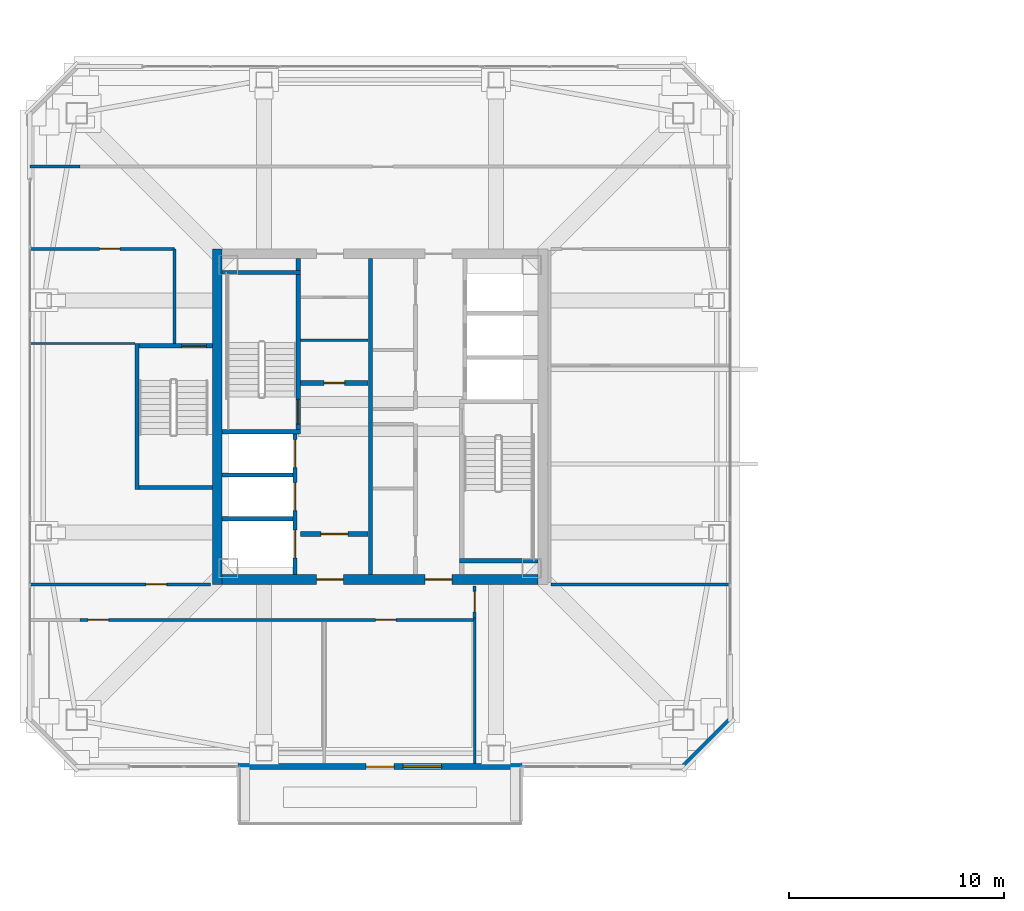
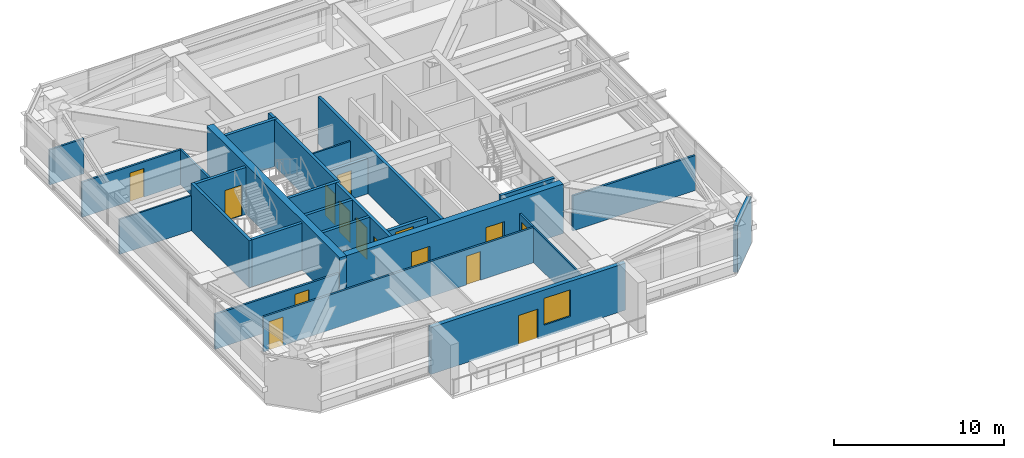
# One storey, part 30 of 40: 27 walls, 15 doors, 1 window, 16 openings.
"""IFC4 building model written with IfcOpenShell, lengths in metres."""

from ifc_helpers import new_model, si_unit, direction, frame, frame_2d, origin, place, context, subcontext, project, spatial, rectangle, extrude, material, layer, layer_set, type_object, element, fill, save


model = new_model("IFC4")

# Units and contexts
model_context = context("Model", 3, precision=1e-05, world=origin(), true_north=direction((0.0, 1.0)))
body_context = subcontext(model_context, "Body", "Model", "MODEL_VIEW")
ifc_project = project(units=[si_unit("LENGTHUNIT", "METRE"), si_unit("AREAUNIT", "SQUARE_METRE"), si_unit("VOLUMEUNIT", "CUBIC_METRE"), si_unit("PLANEANGLEUNIT", "RADIAN"), si_unit("MASSUNIT", "GRAM", prefix="KILO")], contexts=[model_context])

# Site, building, storey
site_placement = place(None, origin())
site = spatial("IfcSite", under=ifc_project, at=site_placement, CompositionType="ELEMENT")
building_placement = place(site_placement, origin())
building = spatial("IfcBuilding", under=site, at=building_placement, Name="Tashvorn Skyway Center", CompositionType="ELEMENT")
storey_placement = place(building_placement, frame((0.0, 0.0, 229.050048828125)))
storey = spatial("IfcBuildingStorey", under=building, at=storey_placement, Name="L62", CompositionType="ELEMENT", Elevation=229.050048828125)

# Wall
ifc_material_1 = material(Name="Concrete C50/60", Category="concrete")
ifc_layer_1 = layer(ifc_material_1, 0.449951171875)
ifc_layer_set_1 = layer_set([ifc_layer_1], Name="Concrete C50/60")
wall_type_1 = type_object("IfcWallType", Name="WALL-CORE-450", PredefinedType="SHEAR", material=ifc_layer_set_1)
wall_1_placement = place(storey_placement, frame((34.425048828125, 24.199951171875, 0.0), z_axis=(0.0, 0.0, 1.0), x_axis=(0.0, 1.0, 0.0)))
element("IfcWall", 1, at=wall_1_placement, inside=storey, type_object=wall_type_1, Name="Tower 1 L62 West Core Shear Wall", PredefinedType="SHEAR", context=body_context, shape_type="SweptSolid", body=[
    extrude(rectangle(XDim=15.60009765625, YDim=0.449951171875, at=frame_2d((7.800048828125, 0.0))), origin(), (0.0, 0.0, 1.0), 3.550048828125),
])

# Wall, openings, doors
wall_2_placement = place(storey_placement, frame((49.35009765625, 24.425048828125, 0.0), z_axis=(0.0, 0.0, 1.0), x_axis=(-1.0, 0.0, 0.0)))
wall_2 = element("IfcWall", 2, at=wall_2_placement, inside=storey, type_object=wall_type_1, Name="Tower 1 L62 South Core Shear Wall", PredefinedType="SHEAR", context=body_context, shape_type="SweptSolid", body=[
    extrude(rectangle(XDim=14.7001953125, YDim=0.449951171875, at=frame_2d((7.35009765625, 0.0))), origin(), (0.0, 0.0, 1.0), 3.550048828125),
])
opening_1_placement = place(wall_2_placement, frame((9.050048828125, 0.0, 0.0)))
opening_1 = element("IfcOpeningElement", 3, at=opening_1_placement, cuts=wall_2, Name="Opening D-FFL-1250", PredefinedType="OPENING", context=body_context, shape_type="SweptSolid", body=[
    extrude(rectangle(XDim=1.25, YDim=2.25, at=frame_2d((0.625, 1.125))), frame((0.0, 0.23486328125, 0.0), z_axis=(0.0, -1.0, 0.0), x_axis=(1.0, 0.0, 0.0)), (0.0, 0.0, 1.0), 0.469970703125),
])
opening_2_placement = place(wall_2_placement, frame((4.0, 0.0, 0.0)))
opening_2 = element("IfcOpeningElement", 4, at=opening_2_placement, cuts=wall_2, Name="Opening D-FFL-1250", PredefinedType="OPENING", context=body_context, shape_type="SweptSolid", body=[
    extrude(rectangle(XDim=1.25, YDim=2.25, at=frame_2d((0.625, 1.125))), frame((0.0, 0.23486328125, 0.0), z_axis=(0.0, -1.0, 0.0), x_axis=(1.0, 0.0, 0.0)), (0.0, 0.0, 1.0), 0.469970703125),
])
ifc_material_2 = material(Name="Hollow galvanized steel fire door assembly", Category="steel")
door_type_1 = type_object("IfcDoorType", Name="DOOR-FFL-1250", OperationType="NOTDEFINED", PredefinedType="DOOR", material=ifc_material_2)
door_1_placement = place(opening_1_placement, origin())
door_1 = element("IfcDoor", 5, at=door_1_placement, inside=storey, type_object=door_type_1, Name="Tower 1 L62 Core South Firefighting Exit Door", OperationType="SINGLE_SWING_LEFT", OverallHeight=2.25, OverallWidth=1.25, PredefinedType="DOOR", context=body_context, shape_type="SweptSolid", body=[
    extrude(rectangle(XDim=1.25, YDim=2.25, at=frame_2d((0.625, 1.125))), frame((0.0, 0.02490234375, 0.0), z_axis=(0.0, -1.0, 0.0), x_axis=(1.0, 0.0, 0.0)), (0.0, 0.0, 1.0), 0.050048828125),
])
fill(opening_1, door_1)
door_2_placement = place(opening_2_placement, origin())
door_2 = element("IfcDoor", 6, at=door_2_placement, inside=storey, type_object=door_type_1, Name="Tower 1 L62 Core South Lift Lobby Door", OperationType="SINGLE_SWING_RIGHT", OverallHeight=2.25, OverallWidth=1.25, PredefinedType="DOOR", context=body_context, shape_type="SweptSolid", body=[
    extrude(rectangle(XDim=1.25, YDim=2.25, at=frame_2d((0.625, 1.125))), frame((0.0, 0.02490234375, 0.0), z_axis=(0.0, -1.0, 0.0), x_axis=(1.0, 0.0, 0.0)), (0.0, 0.0, 1.0), 0.050048828125),
])
fill(opening_2, door_2)

# Wall, openings, door, window
ifc_material_3 = material(Name="Precast concrete C40/50", Category="concrete")
ifc_layer_2 = layer(ifc_material_3, 0.280029296875)
ifc_layer_set_2 = layer_set([ifc_layer_2], Name="Precast concrete C40/50")
wall_type_2 = type_object("IfcWallType", Name="WALL-EXT-280", PredefinedType="SOLIDWALL", material=ifc_layer_set_2)
wall_3_placement = place(storey_placement, frame((48.60009765625, 15.719970703125, 0.0), z_axis=(0.0, 0.0, 1.0), x_axis=(-1.0, 0.0, 0.0)))
wall_3 = element("IfcWall", 7, at=wall_3_placement, inside=storey, type_object=wall_type_2, Name="Tower 1 L62 South Sky Garden Loggia Wall", PredefinedType="SOLIDWALL", context=body_context, shape_type="SweptSolid", body=[
    extrude(rectangle(XDim=13.2001953125, YDim=0.280029296875, at=frame_2d((6.60009765625, 0.0))), origin(), (0.0, 0.0, 1.0), 3.369873046875),
])
opening_3_placement = place(wall_3_placement, frame((5.949951171875, 0.0, 0.0)))
opening_3 = element("IfcOpeningElement", 8, at=opening_3_placement, cuts=wall_3, Name="Opening D-TER-1300", PredefinedType="OPENING", context=body_context, shape_type="SweptSolid", body=[
    extrude(rectangle(XDim=1.300048828125, YDim=2.14990234375, at=frame_2d((0.64990234375, 1.074951171875))), frame((0.0, 0.14990234375, 0.0), z_axis=(0.0, -1.0, 0.0), x_axis=(1.0, 0.0, 0.0)), (0.0, 0.0, 1.0), 0.300048828125),
])
opening_4_placement = place(wall_3_placement, frame((3.73193359375, 0.0, 0.85009765625)))
opening_4 = element("IfcOpeningElement", 9, at=opening_4_placement, cuts=wall_3, Name="Opening WIN-1800", PredefinedType="OPENING", context=body_context, shape_type="SweptSolid", body=[
    extrude(rectangle(XDim=1.800048828125, YDim=1.919921875, at=frame_2d((0.89990234375, 0.9599609375))), frame((0.0, 0.14990234375, 0.0), z_axis=(0.0, -1.0, 0.0), x_axis=(1.0, 0.0, 0.0)), (0.0, 0.0, 1.0), 0.300048828125),
])
ifc_material_4 = material(Name="Thermally broken bronze-anodized aluminium 6063-T6", Category="aluminium")
door_type_2 = type_object("IfcDoorType", Name="DOOR-TERR-1300", OperationType="NOTDEFINED", PredefinedType="DOOR", material=ifc_material_4)
door_3_placement = place(opening_3_placement, origin())
door_3 = element("IfcDoor", 10, at=door_3_placement, inside=storey, type_object=door_type_2, Name="Tower 1 L62 Sky Garden Access Door", OperationType="SINGLE_SWING_RIGHT", OverallHeight=2.14990234375, OverallWidth=1.300048828125, PredefinedType="DOOR", context=body_context, shape_type="SweptSolid", body=[
    extrude(rectangle(XDim=1.300048828125, YDim=2.14990234375, at=frame_2d((0.64990234375, 1.074951171875))), frame((0.0, 0.02490234375, 0.0), z_axis=(0.0, -1.0, 0.0), x_axis=(1.0, 0.0, 0.0)), (0.0, 0.0, 1.0), 0.050048828125),
])
fill(opening_3, door_3)
ifc_material_5 = material(Name="Low-E solar-control double insulating safety glass", Category="glass")
window_type = type_object("IfcWindowType", Name="WIN-TERR-1800", PartitioningType="SINGLE_PANEL", PredefinedType="WINDOW", material=ifc_material_5)
window_placement = place(opening_4_placement, origin())
window = element("IfcWindow", 11, at=window_placement, inside=storey, type_object=window_type, Name="Tower 1 L62 Sky Garden Window", OverallHeight=1.919921875, OverallWidth=1.800048828125, PartitioningType="SINGLE_PANEL", PredefinedType="WINDOW", context=body_context, shape_type="SweptSolid", body=[
    extrude(rectangle(XDim=1.800048828125, YDim=1.919921875, at=frame_2d((0.89990234375, 0.9599609375))), frame((0.0, 0.030029296875, 0.0), z_axis=(0.0, -1.0, 0.0), x_axis=(1.0, 0.0, 0.0)), (0.0, 0.0, 1.0), 0.06005859375),
])
fill(opening_4, window)

# Wall
wall_4_placement = place(storey_placement, frame((58.300048828125, 17.89990234375, 0.0), z_axis=(0.0, 0.0, 1.0), x_axis=(-0.707106781187, -0.707106781187, 0.0)))
element("IfcWall", 12, at=wall_4_placement, inside=storey, type_object=wall_type_2, Name="Tower 1 L62 SE Precast Chamfer Wall", PredefinedType="SOLIDWALL", context=body_context, shape_type="SweptSolid", body=[
    extrude(rectangle(XDim=3.111083984375, YDim=0.280029296875, at=frame_2d((1.5556640625, 0.0))), origin(), (0.0, 0.0, 1.0), 3.369873046875),
])

# Wall, opening, door
ifc_material_6 = material(Name="Concrete C40/50", Category="concrete")
ifc_layer_3 = layer(ifc_material_6, 0.219970703125)
ifc_layer_set_3 = layer_set([ifc_layer_3], Name="Concrete C40/50")
wall_type_3 = type_object("IfcWallType", Name="WALL-FFL-220", PredefinedType="SOLIDWALL", material=ifc_layer_set_3)
wall_5_placement = place(storey_placement, frame((38.300048828125, 33.56005859375, 0.0), z_axis=(0.0, 0.0, 1.0), x_axis=(1.0, 0.0, 0.0)))
wall_5 = element("IfcWall", 13, at=wall_5_placement, inside=storey, type_object=wall_type_3, Name="Tower 1 L62 Firefighting Lobby North Wall", PredefinedType="SOLIDWALL", context=body_context, shape_type="SweptSolid", body=[
    extrude(rectangle(XDim=3.14990234375, YDim=0.219970703125, at=frame_2d((1.574951171875, 0.0))), origin(), (0.0, 0.0, 1.0), 2.512939453125),
])
opening_5_placement = place(wall_5_placement, frame((1.10009765625, 0.0, 0.0)))
opening_5 = element("IfcOpeningElement", 14, at=opening_5_placement, cuts=wall_5, Name="Opening D-RT-950", PredefinedType="OPENING", context=body_context, shape_type="SweptSolid", body=[
    extrude(rectangle(XDim=0.949951171875, YDim=2.050048828125, at=frame_2d((0.47509765625, 1.02490234375))), frame((0.0, 0.119873046875, 0.0), z_axis=(0.0, -1.0, 0.0), x_axis=(1.0, 0.0, 0.0)), (0.0, 0.0, 1.0), 0.239990234375),
])
door_type_3 = type_object("IfcDoorType", Name="DOOR-RATED-950", OperationType="NOTDEFINED", PredefinedType="DOOR", material=ifc_material_2)
door_4_placement = place(opening_5_placement, origin())
door_4 = element("IfcDoor", 15, at=door_4_placement, inside=storey, type_object=door_type_3, Name="Tower 1 L62 Core Linen Store Door", OperationType="SINGLE_SWING_LEFT", OverallHeight=2.050048828125, OverallWidth=0.949951171875, PredefinedType="DOOR", context=body_context, shape_type="SweptSolid", body=[
    extrude(rectangle(XDim=0.949951171875, YDim=2.050048828125, at=frame_2d((0.47509765625, 1.02490234375))), frame((0.0, 0.02490234375, 0.0), z_axis=(0.0, -1.0, 0.0), x_axis=(1.0, 0.0, 0.0)), (0.0, 0.0, 1.0), 0.050048828125),
])
fill(opening_5, door_4)

wall_6_placement = place(storey_placement, frame((38.300048828125, 26.5400390625, 0.0), z_axis=(0.0, 0.0, 1.0), x_axis=(1.0, 0.0, 0.0)))
wall_6 = element("IfcWall", 16, at=wall_6_placement, inside=storey, type_object=wall_type_3, Name="Tower 1 L62 Firefighting Lobby South Wall", PredefinedType="SOLIDWALL", context=body_context, shape_type="SweptSolid", body=[
    extrude(rectangle(XDim=3.14990234375, YDim=0.219970703125, at=frame_2d((1.574951171875, 0.0))), origin(), (0.0, 0.0, 1.0), 2.512939453125),
])
opening_6_placement = place(wall_6_placement, frame((0.949951171875, 0.0, 0.0)))
opening_6 = element("IfcOpeningElement", 17, at=opening_6_placement, cuts=wall_6, Name="Opening D-FFL-1250", PredefinedType="OPENING", context=body_context, shape_type="SweptSolid", body=[
    extrude(rectangle(XDim=1.25, YDim=2.25, at=frame_2d((0.625, 1.125))), frame((0.0, 0.119873046875, 0.0), z_axis=(0.0, -1.0, 0.0), x_axis=(1.0, 0.0, 0.0)), (0.0, 0.0, 1.0), 0.239990234375),
])
door_5_placement = place(opening_6_placement, origin())
door_5 = element("IfcDoor", 18, at=door_5_placement, inside=storey, type_object=door_type_1, Name="Tower 1 L62 Firefighting Lobby Egress Door", OperationType="SINGLE_SWING_LEFT", OverallHeight=2.25, OverallWidth=1.25, PredefinedType="DOOR", context=body_context, shape_type="SweptSolid", body=[
    extrude(rectangle(XDim=1.25, YDim=2.25, at=frame_2d((0.625, 1.125))), frame((0.0, 0.02490234375, 0.0), z_axis=(0.0, -1.0, 0.0), x_axis=(1.0, 0.0, 0.0)), (0.0, 0.0, 1.0), 0.050048828125),
])
fill(opening_6, door_5)

# Walls
ifc_material_7 = material(Name="Gypsum board on cold-formed steel stud framing", Category="steel")
ifc_layer_4 = layer(ifc_material_7, 0.110107421875)
ifc_layer_set_4 = layer_set([ifc_layer_4], Name="Gypsum board on cold-formed steel stud framing")
wall_type_4 = type_object("IfcWallType", Name="WALL-PART-110", PredefinedType="PARTITIONING", material=ifc_layer_set_4)
wall_7_placement = place(storey_placement, frame((46.39990234375, 15.8701171875, 0.0), z_axis=(0.0, 0.0, 1.0), x_axis=(0.0, 1.0, 0.0)))
element("IfcWall", 19, at=wall_7_placement, inside=storey, type_object=wall_type_4, Name="Tower 1 L62 South-East Suite Wall", PredefinedType="PARTITIONING", context=body_context, shape_type="SweptSolid", body=[
    extrude(rectangle(XDim=6.759765625, YDim=0.110107421875, at=frame_2d((3.3798828125, 0.0))), origin(), (0.0, 0.0, 1.0), 2.512939453125),
])
wall_8_placement = place(storey_placement, frame((30.60009765625, 35.39990234375, 0.0), z_axis=(0.0, 0.0, 1.0), x_axis=(-1.0, 0.0, 0.0)))
element("IfcWall", 20, at=wall_8_placement, inside=storey, type_object=wall_type_4, Name="Tower 1 L62 West Suite Partition 1", PredefinedType="PARTITIONING", context=body_context, shape_type="SweptSolid", body=[
    extrude(rectangle(XDim=4.880126953125, YDim=0.110107421875, at=frame_2d((2.43994140625, 0.0))), origin(), (0.0, 0.0, 1.0), 2.512939453125),
])
ifc_layer_5 = layer(ifc_material_7, 0.135009765625)
ifc_layer_set_5 = layer_set([ifc_layer_5], Name="Gypsum board on cold-formed steel stud framing")
wall_type_5 = type_object("IfcWallType", Name="WALL-PART-135", PredefinedType="PARTITIONING", material=ifc_layer_set_5)
wall_9_placement = place(storey_placement, frame((32.449951171875, 35.39990234375, 0.0), z_axis=(0.0, 0.0, 1.0), x_axis=(0.0, 1.0, 0.0)))
element("IfcWall", 21, at=wall_9_placement, inside=storey, type_object=wall_type_5, Name="Tower 1 L62 Stair 3 Access Corridor Wall", PredefinedType="PARTITIONING", context=body_context, shape_type="SweptSolid", body=[
    extrude(rectangle(XDim=4.400146484375, YDim=0.135009765625, at=frame_2d((2.2001953125, 0.0))), origin(), (0.0, 0.0, 1.0), 2.512939453125),
])
wall_10_placement = place(storey_placement, frame((25.719970703125, 43.6201171875, 0.0), z_axis=(0.0, 0.0, 1.0), x_axis=(1.0, 0.0, 0.0)))
element("IfcWall", 22, at=wall_10_placement, inside=storey, type_object=wall_type_5, Name="Tower 1 L62 North-West Suite South Wall", PredefinedType="PARTITIONING", context=body_context, shape_type="SweptSolid", body=[
    extrude(rectangle(XDim=2.330078125, YDim=0.135009765625, at=frame_2d((1.1650390625, 0.0))), origin(), (0.0, 0.0, 1.0), 2.512939453125),
])

# Wall, openings, doors
wall_11_placement = place(storey_placement, frame((46.39990234375, 22.550048828125, 0.0), z_axis=(0.0, 0.0, 1.0), x_axis=(-1.0, 0.0, 0.0)))
wall_11 = element("IfcWall", 23, at=wall_11_placement, inside=storey, type_object=wall_type_5, Name="Tower 1 L62 South Suite Wall", PredefinedType="PARTITIONING", context=body_context, shape_type="SweptSolid", body=[
    extrude(rectangle(XDim=18.349853515625, YDim=0.135009765625, at=frame_2d((9.1748046875, 0.0))), origin(), (0.0, 0.0, 1.0), 2.512939453125),
])
opening_7_placement = place(wall_11_placement, frame((17.02001953125, 0.0, 0.0)))
opening_7 = element("IfcOpeningElement", 24, at=opening_7_placement, cuts=wall_11, Name="Opening D-INT-950", PredefinedType="OPENING", context=body_context, shape_type="SweptSolid", body=[
    extrude(rectangle(XDim=0.949951171875, YDim=2.050048828125, at=frame_2d((0.47509765625, 1.02490234375))), frame((0.0, 0.077392578125, 0.0), z_axis=(0.0, -1.0, 0.0), x_axis=(1.0, 0.0, 0.0)), (0.0, 0.0, 1.0), 0.155029296875),
])
opening_8_placement = place(wall_11_placement, frame((3.65478515625, 0.0, 0.0)))
opening_8 = element("IfcOpeningElement", 25, at=opening_8_placement, cuts=wall_11, Name="Opening D-INT-950", PredefinedType="OPENING", context=body_context, shape_type="SweptSolid", body=[
    extrude(rectangle(XDim=0.949951171875, YDim=2.050048828125, at=frame_2d((0.47509765625, 1.02490234375))), frame((0.0, 0.077392578125, 0.0), z_axis=(0.0, -1.0, 0.0), x_axis=(1.0, 0.0, 0.0)), (0.0, 0.0, 1.0), 0.155029296875),
])
ifc_material_8 = material(Name="Solid-core architectural oak veneer door")
door_type_4 = type_object("IfcDoorType", Name="DOOR-INT-950", OperationType="NOTDEFINED", PredefinedType="DOOR", material=ifc_material_8)
door_6_placement = place(opening_7_placement, origin())
door_6 = element("IfcDoor", 26, at=door_6_placement, inside=storey, type_object=door_type_4, Name="Tower 1 L62 Executive Study Lounge Door", OperationType="SINGLE_SWING_RIGHT", OverallHeight=2.050048828125, OverallWidth=0.949951171875, PredefinedType="DOOR", context=body_context, shape_type="SweptSolid", body=[
    extrude(rectangle(XDim=0.949951171875, YDim=2.050048828125, at=frame_2d((0.47509765625, 1.02490234375))), frame((0.0, 0.02490234375, 0.0), z_axis=(0.0, -1.0, 0.0), x_axis=(1.0, 0.0, 0.0)), (0.0, 0.0, 1.0), 0.050048828125),
])
fill(opening_7, door_6)
door_7_placement = place(opening_8_placement, origin())
door_7 = element("IfcDoor", 27, at=door_7_placement, inside=storey, type_object=door_type_4, Name="Tower 1 L62 Collaborative Studio Door", OperationType="SINGLE_SWING_LEFT", OverallHeight=2.050048828125, OverallWidth=0.949951171875, PredefinedType="DOOR", context=body_context, shape_type="SweptSolid", body=[
    extrude(rectangle(XDim=0.949951171875, YDim=2.050048828125, at=frame_2d((0.47509765625, 1.02490234375))), frame((0.0, 0.02490234375, 0.0), z_axis=(0.0, -1.0, 0.0), x_axis=(1.0, 0.0, 0.0)), (0.0, 0.0, 1.0), 0.050048828125),
])
fill(opening_8, door_7)

# Wall, opening, door
wall_12_placement = place(storey_placement, frame((46.39990234375, 24.1201171875, 0.0), z_axis=(0.0, 0.0, 1.0), x_axis=(0.0, -1.0, 0.0)))
wall_12 = element("IfcWall", 28, at=wall_12_placement, inside=storey, type_object=wall_type_5, Name="Tower 1 L62 South Gallery End Wall", PredefinedType="PARTITIONING", context=body_context, shape_type="SweptSolid", body=[
    extrude(rectangle(XDim=1.490234375, YDim=0.135009765625, at=frame_2d((0.7451171875, 0.0))), origin(), (0.0, 0.0, 1.0), 2.512939453125),
])
opening_9_placement = place(wall_12_placement, frame((0.25, 0.0, 0.0)))
opening_9 = element("IfcOpeningElement", 29, at=opening_9_placement, cuts=wall_12, Name="Opening D-INT-950", PredefinedType="OPENING", context=body_context, shape_type="SweptSolid", body=[
    extrude(rectangle(XDim=0.949951171875, YDim=2.050048828125, at=frame_2d((0.47509765625, 1.02490234375))), frame((0.0, 0.077392578125, 0.0), z_axis=(0.0, -1.0, 0.0), x_axis=(1.0, 0.0, 0.0)), (0.0, 0.0, 1.0), 0.155029296875),
])
door_8_placement = place(opening_9_placement, origin())
door_8 = element("IfcDoor", 30, at=door_8_placement, inside=storey, type_object=door_type_4, Name="Tower 1 L62 Open Plan Office Door", OperationType="SINGLE_SWING_RIGHT", OverallHeight=2.050048828125, OverallWidth=0.949951171875, PredefinedType="DOOR", context=body_context, shape_type="SweptSolid", body=[
    extrude(rectangle(XDim=0.949951171875, YDim=2.050048828125, at=frame_2d((0.47509765625, 1.02490234375))), frame((0.0, 0.02490234375, 0.0), z_axis=(0.0, -1.0, 0.0), x_axis=(1.0, 0.0, 0.0)), (0.0, 0.0, 1.0), 0.050048828125),
])
fill(opening_9, door_8)

# Wall
wall_13_placement = place(storey_placement, frame((49.9599609375, 24.199951171875, 0.0), z_axis=(0.0, 0.0, 1.0), x_axis=(1.0, 0.0, 0.0)))
element("IfcWall", 31, at=wall_13_placement, inside=storey, type_object=wall_type_5, Name="Tower 1 L62 East Suite South Wall", PredefinedType="PARTITIONING", context=body_context, shape_type="SweptSolid", body=[
    extrude(rectangle(XDim=8.320068359375, YDim=0.135009765625, at=frame_2d((4.16015625, 0.0))), origin(), (0.0, 0.0, 1.0), 2.512939453125),
])

# Wall, opening, door
wall_14_placement = place(storey_placement, frame((32.449951171875, 39.800048828125, 0.0), z_axis=(0.0, 0.0, 1.0), x_axis=(-1.0, 0.0, 0.0)))
wall_14 = element("IfcWall", 32, at=wall_14_placement, inside=storey, type_object=wall_type_5, Name="Tower 1 L62 West Suite North Wall", PredefinedType="PARTITIONING", context=body_context, shape_type="SweptSolid", body=[
    extrude(rectangle(XDim=6.72998046875, YDim=0.135009765625, at=frame_2d((3.364990234375, 0.0))), origin(), (0.0, 0.0, 1.0), 2.512939453125),
])
opening_10_placement = place(wall_14_placement, frame((2.5400390625, 0.0, 0.0)))
opening_10 = element("IfcOpeningElement", 33, at=opening_10_placement, cuts=wall_14, Name="Opening D-INT-950", PredefinedType="OPENING", context=body_context, shape_type="SweptSolid", body=[
    extrude(rectangle(XDim=0.949951171875, YDim=2.050048828125, at=frame_2d((0.47509765625, 1.02490234375))), frame((0.0, 0.077392578125, 0.0), z_axis=(0.0, -1.0, 0.0), x_axis=(1.0, 0.0, 0.0)), (0.0, 0.0, 1.0), 0.155029296875),
])
door_9_placement = place(opening_10_placement, origin())
door_9 = element("IfcDoor", 34, at=door_9_placement, inside=storey, type_object=door_type_4, Name="Tower 1 L62 Reading Lounge Door", OperationType="SINGLE_SWING_LEFT", OverallHeight=2.050048828125, OverallWidth=0.949951171875, PredefinedType="DOOR", context=body_context, shape_type="SweptSolid", body=[
    extrude(rectangle(XDim=0.949951171875, YDim=2.050048828125, at=frame_2d((0.47509765625, 1.02490234375))), frame((0.0, 0.02490234375, 0.0), z_axis=(0.0, -1.0, 0.0), x_axis=(1.0, 0.0, 0.0)), (0.0, 0.0, 1.0), 0.050048828125),
])
fill(opening_10, door_9)

wall_15_placement = place(storey_placement, frame((25.719970703125, 24.199951171875, 0.0), z_axis=(0.0, 0.0, 1.0), x_axis=(1.0, 0.0, 0.0)))
wall_15 = element("IfcWall", 35, at=wall_15_placement, inside=storey, type_object=wall_type_5, Name="Tower 1 L62 West Suite South Wall", PredefinedType="PARTITIONING", context=body_context, shape_type="SweptSolid", body=[
    extrude(rectangle(XDim=8.400146484375, YDim=0.135009765625, at=frame_2d((4.2001953125, 0.0))), origin(), (0.0, 0.0, 1.0), 2.512939453125),
])
opening_11_placement = place(wall_15_placement, frame((5.405029296875, 0.0, 0.0)))
opening_11 = element("IfcOpeningElement", 36, at=opening_11_placement, cuts=wall_15, Name="Opening D-INT-950", PredefinedType="OPENING", context=body_context, shape_type="SweptSolid", body=[
    extrude(rectangle(XDim=0.949951171875, YDim=2.050048828125, at=frame_2d((0.47509765625, 1.02490234375))), frame((0.0, 0.077392578125, 0.0), z_axis=(0.0, -1.0, 0.0), x_axis=(1.0, 0.0, 0.0)), (0.0, 0.0, 1.0), 0.155029296875),
])
door_10_placement = place(opening_11_placement, origin())
door_10 = element("IfcDoor", 37, at=door_10_placement, inside=storey, type_object=door_type_4, Name="Tower 1 L62 Public Restroom Door", OperationType="SINGLE_SWING_RIGHT", OverallHeight=2.050048828125, OverallWidth=0.949951171875, PredefinedType="DOOR", context=body_context, shape_type="SweptSolid", body=[
    extrude(rectangle(XDim=0.949951171875, YDim=2.050048828125, at=frame_2d((0.47509765625, 1.02490234375))), frame((0.0, 0.02490234375, 0.0), z_axis=(0.0, -1.0, 0.0), x_axis=(1.0, 0.0, 0.0)), (0.0, 0.0, 1.0), 0.050048828125),
])
fill(opening_11, door_10)

# Walls
ifc_layer_6 = layer(ifc_material_7, 0.110107421875)
ifc_layer_set_6 = layer_set([ifc_layer_6], Name="Gypsum board on cold-formed steel stud framing")
wall_type_6 = type_object("IfcWallType", Name="WALL-RATED-110", PredefinedType="PARTITIONING", material=ifc_layer_set_6)
wall_16_placement = place(storey_placement, frame((38.300048828125, 35.550048828125, 0.0), z_axis=(0.0, 0.0, 1.0), x_axis=(1.0, 0.0, 0.0)))
element("IfcWall", 38, at=wall_16_placement, inside=storey, type_object=wall_type_6, Name="Tower 1 L62 Core Transverse Wall", PredefinedType="PARTITIONING", context=body_context, shape_type="SweptSolid", body=[
    extrude(rectangle(XDim=3.14990234375, YDim=0.110107421875, at=frame_2d((1.574951171875, 0.0))), origin(), (0.0, 0.0, 1.0), 2.512939453125),
])
ifc_layer_7 = layer(ifc_material_6, 0.199951171875)
ifc_layer_set_7 = layer_set([ifc_layer_7], Name="Concrete C40/50")
wall_type_7 = type_object("IfcWallType", Name="WALL-SHAFT-200", PredefinedType="SOLIDWALL", material=ifc_layer_set_7)
for number, where, z_axis, x_axis, name in (
    (39, (34.64990234375, 27.25, 0.0), (0.0, 0.0, 1.0), (1.0, 0.0, 0.0), "Tower 1 L62 FSAE Shaft Divider"),
    (40, (34.64990234375, 29.280029296875, 0.0), (0.0, 0.0, 1.0), (1.0, 0.0, 0.0), "Tower 1 L62 FSAE Shaft Divider"),
):
    element("IfcWall", number, at=place(storey_placement, frame(where, z_axis=z_axis, x_axis=x_axis)), inside=storey, type_object=wall_type_7, Name=name, PredefinedType="SOLIDWALL", context=body_context, shape_type="SweptSolid", body=[
        extrude(rectangle(XDim=3.300048828125, YDim=0.199951171875, at=frame_2d((1.64990234375, 0.0))), origin(), (0.0, 0.0, 1.0), 3.369873046875),
    ])

# Wall, opening, door
ifc_layer_8 = layer(ifc_material_6, 0.199951171875)
ifc_layer_set_8 = layer_set([ifc_layer_8], Name="Concrete C40/50")
wall_type_8 = type_object("IfcWallType", Name="WALL-STSHF-200", PredefinedType="SHEAR", material=ifc_layer_set_8)
wall_17_placement = place(storey_placement, frame((38.199951171875, 31.199951171875, 0.0), z_axis=(0.0, 0.0, 1.0), x_axis=(0.0, 1.0, 0.0)))
wall_17 = element("IfcWall", 41, at=wall_17_placement, inside=storey, type_object=wall_type_8, Name="Tower 1 L62 Stair 1 Enclosure Wall", PredefinedType="SHEAR", context=body_context, shape_type="SweptSolid", body=[
    extrude(rectangle(XDim=8.150146484375, YDim=0.199951171875, at=frame_2d((4.0751953125, 0.0))), origin(), (0.0, 0.0, 1.0), 3.369873046875),
])
opening_12_placement = place(wall_17_placement, frame((0.449951171875, 0.0, 0.0)))
opening_12 = element("IfcOpeningElement", 42, at=opening_12_placement, cuts=wall_17, Name="Opening D-ST-1150", PredefinedType="OPENING", context=body_context, shape_type="SweptSolid", body=[
    extrude(rectangle(XDim=1.14990234375, YDim=2.199951171875, at=frame_2d((0.574951171875, 1.10009765625))), frame((0.0, 0.10986328125, 0.0), z_axis=(0.0, -1.0, 0.0), x_axis=(1.0, 0.0, 0.0)), (0.0, 0.0, 1.0), 0.219970703125),
])
door_type_5 = type_object("IfcDoorType", Name="DOOR-STAIR-1150", OperationType="NOTDEFINED", PredefinedType="DOOR", material=ifc_material_2)
door_11_placement = place(opening_12_placement, origin())
door_11 = element("IfcDoor", 43, at=door_11_placement, inside=storey, type_object=door_type_5, Name="Tower 1 L62 Exit Stair 1 Door", OperationType="SINGLE_SWING_RIGHT", OverallHeight=2.199951171875, OverallWidth=1.14990234375, PredefinedType="DOOR", context=body_context, shape_type="SweptSolid", body=[
    extrude(rectangle(XDim=1.14990234375, YDim=2.199951171875, at=frame_2d((0.574951171875, 1.10009765625))), frame((0.0, 0.02490234375, 0.0), z_axis=(0.0, -1.0, 0.0), x_axis=(1.0, 0.0, 0.0)), (0.0, 0.0, 1.0), 0.050048828125),
])
fill(opening_12, door_11)

# Walls
for number, where, z_axis, x_axis, name in (
    (44, (34.64990234375, 31.300048828125, 0.0), (0.0, 0.0, 1.0), (1.0, 0.0, 0.0), "Tower 1 L62 Stair 1 South Wall"),
    (45, (34.64990234375, 38.699951171875, 0.0), (0.0, 0.0, 1.0), (1.0, 0.0, 0.0), "Tower 1 L62 Stair 1 North Wall"),
    (46, (45.699951171875, 25.300048828125, 0.0), (0.0, 0.0, 1.0), (1.0, 0.0, 0.0), "Tower 1 L62 Stair 2 South Wall"),
):
    element("IfcWall", number, at=place(storey_placement, frame(where, z_axis=z_axis, x_axis=x_axis)), inside=storey, type_object=wall_type_8, Name=name, PredefinedType="SHEAR", context=body_context, shape_type="SweptSolid", body=[
        extrude(rectangle(XDim=3.650146484375, YDim=0.199951171875, at=frame_2d((1.8251953125, 0.0))), origin(), (0.0, 0.0, 1.0), 3.369873046875),
    ])
wall_18_placement = place(storey_placement, frame((41.56005859375, 24.64990234375, 0.0), z_axis=(0.0, 0.0, 1.0), x_axis=(0.0, 1.0, 0.0)))
element("IfcWall", 47, at=wall_18_placement, inside=storey, type_object=wall_type_8, Name="Tower 1 L62 Firefighting Lobby East Smoke Barrier", PredefinedType="SHEAR", context=body_context, shape_type="SweptSolid", body=[
    extrude(rectangle(XDim=14.7001953125, YDim=0.199951171875, at=frame_2d((7.35009765625, 0.0))), origin(), (0.0, 0.0, 1.0), 3.369873046875),
])

# Wall, openings, doors
wall_19_placement = place(storey_placement, frame((38.050048828125, 24.64990234375, 0.0), z_axis=(0.0, 0.0, 1.0), x_axis=(0.0, 1.0, 0.0)))
wall_19 = element("IfcWall", 48, at=wall_19_placement, inside=storey, type_object=wall_type_8, Name="Tower 1 L62 FSAE and Goods Shaft Front Wall", PredefinedType="SHEAR", context=body_context, shape_type="SweptSolid", body=[
    extrude(rectangle(XDim=6.550048828125, YDim=0.199951171875, at=frame_2d((3.27490234375, 0.0))), origin(), (0.0, 0.0, 1.0), 3.369873046875),
])
opening_13_placement = place(wall_19_placement, frame((4.97509765625, 0.0, 0.0)))
opening_13 = element("IfcOpeningElement", 49, at=opening_13_placement, cuts=wall_19, Name="Opening LD-FF-T1-1-L62", PredefinedType="OPENING", context=body_context, shape_type="SweptSolid", body=[
    extrude(rectangle(XDim=1.300048828125, YDim=2.25, at=frame_2d((0.64990234375, 1.125))), frame((0.0, 0.10986328125, 0.0), z_axis=(0.0, -1.0, 0.0), x_axis=(1.0, 0.0, 0.0)), (0.0, 0.0, 1.0), 0.219970703125),
])
opening_14_placement = place(wall_19_placement, frame((2.97509765625, 0.0, 0.0)))
opening_14 = element("IfcOpeningElement", 50, at=opening_14_placement, cuts=wall_19, Name="Opening LD-FF-T1-2-L62", PredefinedType="OPENING", context=body_context, shape_type="SweptSolid", body=[
    extrude(rectangle(XDim=1.300048828125, YDim=2.25, at=frame_2d((0.64990234375, 1.125))), frame((0.0, 0.10986328125, 0.0), z_axis=(0.0, -1.0, 0.0), x_axis=(1.0, 0.0, 0.0)), (0.0, 0.0, 1.0), 0.219970703125),
])
opening_15_placement = place(wall_19_placement, frame((0.77490234375, 0.0, 0.0)))
opening_15 = element("IfcOpeningElement", 51, at=opening_15_placement, cuts=wall_19, Name="Opening LD-GD-T1-1-L62", PredefinedType="OPENING", context=body_context, shape_type="SweptSolid", body=[
    extrude(rectangle(XDim=1.300048828125, YDim=2.25, at=frame_2d((0.64990234375, 1.125))), frame((0.0, 0.10986328125, 0.0), z_axis=(0.0, -1.0, 0.0), x_axis=(1.0, 0.0, 0.0)), (0.0, 0.0, 1.0), 0.219970703125),
])
ifc_material_9 = material(Name="Stainless steel heavy-duty landing door", Category="steel")
door_type_6 = type_object("IfcDoorType", Name="DOOR-LIFT-1300", OperationType="SLIDING_TO_LEFT", PredefinedType="DOOR", material=ifc_material_9)
door_12_placement = place(opening_13_placement, origin())
door_12 = element("IfcDoor", 52, at=door_12_placement, inside=storey, type_object=door_type_6, Name="Lift FF-T1-1 L62 Landing Door", OperationType="SLIDING_TO_LEFT", OverallHeight=2.25, OverallWidth=1.300048828125, PredefinedType="DOOR", context=body_context, shape_type="SweptSolid", body=[
    extrude(rectangle(XDim=1.300048828125, YDim=2.25, at=frame_2d((0.64990234375, 1.125))), frame((0.0, 0.02490234375, 0.0), z_axis=(0.0, -1.0, 0.0), x_axis=(1.0, 0.0, 0.0)), (0.0, 0.0, 1.0), 0.050048828125),
])
fill(opening_13, door_12)
door_13_placement = place(opening_14_placement, origin())
door_13 = element("IfcDoor", 53, at=door_13_placement, inside=storey, type_object=door_type_6, Name="Lift FF-T1-2 L62 Landing Door", OperationType="SLIDING_TO_LEFT", OverallHeight=2.25, OverallWidth=1.300048828125, PredefinedType="DOOR", context=body_context, shape_type="SweptSolid", body=[
    extrude(rectangle(XDim=1.300048828125, YDim=2.25, at=frame_2d((0.64990234375, 1.125))), frame((0.0, 0.02490234375, 0.0), z_axis=(0.0, -1.0, 0.0), x_axis=(1.0, 0.0, 0.0)), (0.0, 0.0, 1.0), 0.050048828125),
])
fill(opening_14, door_13)
door_14_placement = place(opening_15_placement, origin())
door_14 = element("IfcDoor", 54, at=door_14_placement, inside=storey, type_object=door_type_6, Name="Lift GD-T1-1 L62 Landing Door", OperationType="SLIDING_TO_LEFT", OverallHeight=2.25, OverallWidth=1.300048828125, PredefinedType="DOOR", context=body_context, shape_type="SweptSolid", body=[
    extrude(rectangle(XDim=1.300048828125, YDim=2.25, at=frame_2d((0.64990234375, 1.125))), frame((0.0, 0.02490234375, 0.0), z_axis=(0.0, -1.0, 0.0), x_axis=(1.0, 0.0, 0.0)), (0.0, 0.0, 1.0), 0.050048828125),
])
fill(opening_15, door_14)

# Wall
wall_20_placement = place(storey_placement, frame((30.699951171875, 28.60009765625, 0.0), z_axis=(0.0, 0.0, 1.0), x_axis=(0.0, 1.0, 0.0)))
element("IfcWall", 55, at=wall_20_placement, inside=storey, type_object=wall_type_8, Name="Tower 1 L62 Stair 3 Outer Wall", PredefinedType="SHEAR", context=body_context, shape_type="SweptSolid", body=[
    extrude(rectangle(XDim=6.7998046875, YDim=0.199951171875, at=frame_2d((3.39990234375, 0.0))), origin(), (0.0, 0.0, 1.0), 3.369873046875),
])

# Wall, opening, door
wall_21_placement = place(storey_placement, frame((34.199951171875, 35.300048828125, 0.0), z_axis=(0.0, 0.0, 1.0), x_axis=(-1.0, 0.0, 0.0)))
wall_21 = element("IfcWall", 56, at=wall_21_placement, inside=storey, type_object=wall_type_8, Name="Tower 1 L62 Stair 3 Enclosure Wall", PredefinedType="SHEAR", context=body_context, shape_type="SweptSolid", body=[
    extrude(rectangle(XDim=3.39990234375, YDim=0.199951171875, at=frame_2d((1.699951171875, 0.0))), origin(), (0.0, 0.0, 1.0), 3.369873046875),
])
opening_16_placement = place(wall_21_placement, frame((0.27490234375, 0.0, 0.0)))
opening_16 = element("IfcOpeningElement", 57, at=opening_16_placement, cuts=wall_21, Name="Opening D-ST-1150", PredefinedType="OPENING", context=body_context, shape_type="SweptSolid", body=[
    extrude(rectangle(XDim=1.14990234375, YDim=2.199951171875, at=frame_2d((0.574951171875, 1.10009765625))), frame((0.0, 0.10986328125, 0.0), z_axis=(0.0, -1.0, 0.0), x_axis=(1.0, 0.0, 0.0)), (0.0, 0.0, 1.0), 0.219970703125),
])
door_15_placement = place(opening_16_placement, origin())
door_15 = element("IfcDoor", 58, at=door_15_placement, inside=storey, type_object=door_type_5, Name="Tower 1 L62 Exit Stair 3 Door", OperationType="SINGLE_SWING_RIGHT", OverallHeight=2.199951171875, OverallWidth=1.14990234375, PredefinedType="DOOR", context=body_context, shape_type="SweptSolid", body=[
    extrude(rectangle(XDim=1.14990234375, YDim=2.199951171875, at=frame_2d((0.574951171875, 1.10009765625))), frame((0.0, 0.02490234375, 0.0), z_axis=(0.0, -1.0, 0.0), x_axis=(1.0, 0.0, 0.0)), (0.0, 0.0, 1.0), 0.050048828125),
])
fill(opening_16, door_15)

# Wall
wall_22_placement = place(storey_placement, frame((30.800048828125, 28.699951171875, 0.0), z_axis=(0.0, 0.0, 1.0), x_axis=(1.0, 0.0, 0.0)))
element("IfcWall", 59, at=wall_22_placement, inside=storey, type_object=wall_type_8, Name="Tower 1 L62 Stair 3 South Wall", PredefinedType="SHEAR", context=body_context, shape_type="SweptSolid", body=[
    extrude(rectangle(XDim=3.39990234375, YDim=0.199951171875, at=frame_2d((1.699951171875, 0.0))), origin(), (0.0, 0.0, 1.0), 3.369873046875),
])

save(model, "model.ifc")
